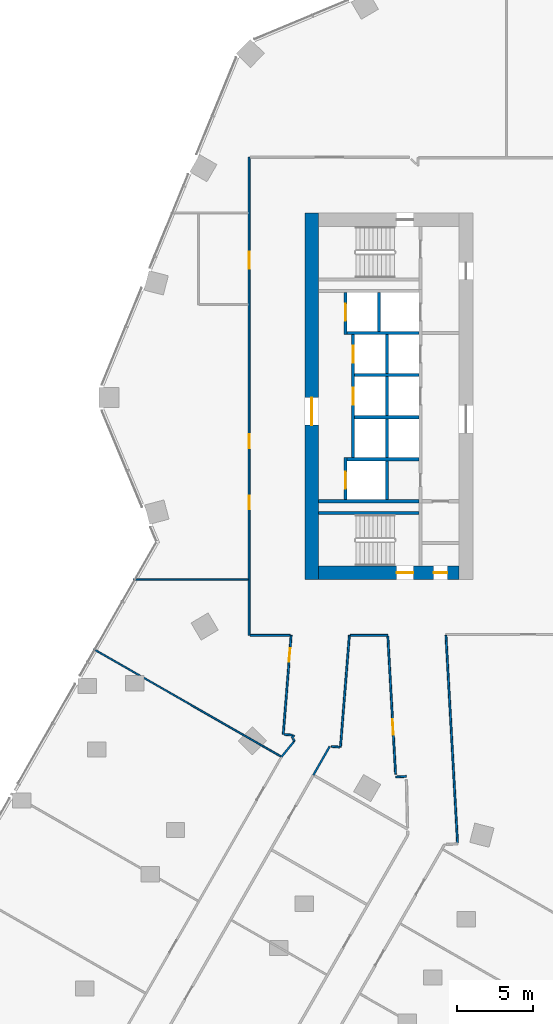
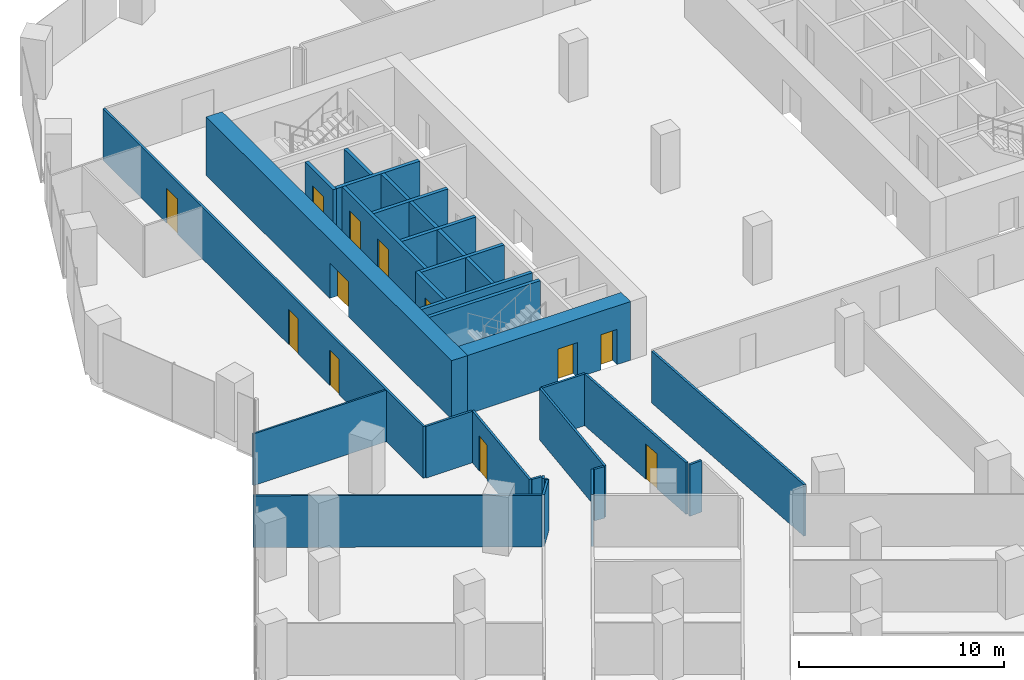
# One storey, part 27 of 35: 32 walls, 12 doors, 12 openings.
"""IFC4 building model written with IfcOpenShell, lengths in metres."""

from ifc_helpers import new_model, si_unit, direction, frame, frame_2d, origin, place, context, subcontext, project, spatial, rectangle, extrude, material, layer, layer_set, type_object, element, fill, save


model = new_model("IFC4")

# Units and contexts
model_context = context("Model", 3, precision=1e-05, world=origin(), true_north=direction((0.0, 1.0)))
body_context = subcontext(model_context, "Body", "Model", "MODEL_VIEW")
ifc_project = project(units=[si_unit("LENGTHUNIT", "METRE"), si_unit("AREAUNIT", "SQUARE_METRE"), si_unit("VOLUMEUNIT", "CUBIC_METRE"), si_unit("PLANEANGLEUNIT", "RADIAN"), si_unit("MASSUNIT", "GRAM", prefix="KILO")], contexts=[model_context])

# Site, building, storey
site_placement = place(None, origin())
site = spatial("IfcSite", under=ifc_project, at=site_placement, CompositionType="ELEMENT")
building_placement = place(site_placement, origin())
building = spatial("IfcBuilding", under=site, at=building_placement, Name="Orlundy Tower", CompositionType="ELEMENT")
storey_placement = place(building_placement, frame((0.0, 0.0, 116.199951171875)))
storey = spatial("IfcBuildingStorey", under=building, at=storey_placement, Name="L29", CompositionType="ELEMENT", Elevation=116.199951171875)

# Wall, openings, doors
ifc_material_1 = material(Name="Concrete C80/95", Category="concrete")
ifc_layer_1 = layer(ifc_material_1, 0.89990234375)
ifc_layer_set_1 = layer_set([ifc_layer_1], Name="CORE WALL 900 C80/95")
wall_type_1 = type_object("IfcWallType", Name="CORE WALL 900 C80/95", PredefinedType="SHEAR", material=ifc_layer_set_1)
wall_1_placement = place(storey_placement, frame((-18.10009765625, -11.550048828125, 0.0), z_axis=(0.0, 0.0, 1.0), x_axis=(1.0, 0.0, 0.0)))
wall_1 = element("IfcWall", 1, at=wall_1_placement, inside=storey, type_object=wall_type_1, Name="Core wall W-S L29", PredefinedType="SHEAR", context=body_context, shape_type="SweptSolid", body=[
    extrude(rectangle(XDim=9.2001953125, YDim=0.89990234375, at=frame_2d((4.60009765625, 0.0))), origin(), (0.0, 0.0, 1.0), 3.5),
])
opening_1_placement = place(wall_1_placement, frame((5.10009765625, 0.0, 0.0)))
opening_1 = element("IfcOpeningElement", 2, at=opening_1_placement, cuts=wall_1, Name="Opening 22013", PredefinedType="OPENING", context=body_context, shape_type="SweptSolid", body=[
    extrude(rectangle(XDim=1.10009765625, YDim=2.10009765625, at=frame_2d((0.550048828125, 1.050048828125))), frame((0.0, 0.4599609375, 0.0), z_axis=(0.0, -1.0, 0.0), x_axis=(1.0, 0.0, 0.0)), (0.0, 0.0, 1.0), 0.919921875),
])
opening_2_placement = place(wall_1_placement, frame((7.530029296875, 0.0, 0.0)))
opening_2 = element("IfcOpeningElement", 3, at=opening_2_placement, cuts=wall_1, Name="Opening 22015", PredefinedType="OPENING", context=body_context, shape_type="SweptSolid", body=[
    extrude(rectangle(XDim=0.89990234375, YDim=2.10009765625, at=frame_2d((0.449951171875, 1.050048828125))), frame((0.0, 0.4599609375, 0.0), z_axis=(0.0, -1.0, 0.0), x_axis=(1.0, 0.0, 0.0)), (0.0, 0.0, 1.0), 0.919921875),
])
ifc_material_2 = material(Name="Timber door set", Category="wood")
door_type_1 = type_object("IfcDoorType", Name="Room Door 900x2100", OperationType="SINGLE_SWING_LEFT", PredefinedType="DOOR", material=ifc_material_2)
door_1_placement = place(opening_2_placement, origin())
door_1 = element("IfcDoor", 4, at=door_1_placement, inside=storey, type_object=door_type_1, Name="Store door 22015", OperationType="SINGLE_SWING_RIGHT", OverallHeight=2.10009765625, OverallWidth=0.89990234375, PredefinedType="DOOR", context=body_context, shape_type="SweptSolid", body=[
    extrude(rectangle(XDim=0.89990234375, YDim=2.10009765625, at=frame_2d((0.449951171875, 1.050048828125))), frame((0.0, 0.02490234375, 0.0), z_axis=(0.0, -1.0, 0.0), x_axis=(1.0, 0.0, 0.0)), (0.0, 0.0, 1.0), 0.050048828125),
])
fill(opening_2, door_1)
ifc_material_3 = material(Name="Steel door set", Category="steel")
door_type_2 = type_object("IfcDoorType", Name="Stair Door 1100x2100", OperationType="SINGLE_SWING_LEFT", PredefinedType="DOOR", material=ifc_material_3)
door_2_placement = place(opening_1_placement, origin())
door_2 = element("IfcDoor", 5, at=door_2_placement, inside=storey, type_object=door_type_2, Name="Stair door 22013", OperationType="SINGLE_SWING_RIGHT", OverallHeight=2.10009765625, OverallWidth=1.10009765625, PredefinedType="DOOR", context=body_context, shape_type="SweptSolid", body=[
    extrude(rectangle(XDim=1.10009765625, YDim=2.10009765625, at=frame_2d((0.550048828125, 1.050048828125))), frame((0.0, 0.02490234375, 0.0), z_axis=(0.0, -1.0, 0.0), x_axis=(1.0, 0.0, 0.0)), (0.0, 0.0, 1.0), 0.050048828125),
])
fill(opening_1, door_2)

# Wall, opening, door
wall_2_placement = place(storey_placement, frame((-18.550048828125, -12.0, 0.0), z_axis=(0.0, 0.0, 1.0), x_axis=(0.0, 1.0, 0.0)))
wall_2 = element("IfcWall", 6, at=wall_2_placement, inside=storey, type_object=wall_type_1, Name="Core wall W-W L29", PredefinedType="SHEAR", context=body_context, shape_type="SweptSolid", body=[
    extrude(rectangle(XDim=24.0, YDim=0.89990234375, at=frame_2d((12.0, 0.0))), origin(), (0.0, 0.0, 1.0), 3.5),
])
opening_3_placement = place(wall_2_placement, frame((10.10009765625, 0.0, 0.0)))
opening_3 = element("IfcOpeningElement", 7, at=opening_3_placement, cuts=wall_2, Name="Opening 22010", PredefinedType="OPENING", context=body_context, shape_type="SweptSolid", body=[
    extrude(rectangle(XDim=1.800048828125, YDim=2.10009765625, at=frame_2d((0.89990234375, 1.050048828125))), frame((0.0, 0.4599609375, 0.0), z_axis=(0.0, -1.0, 0.0), x_axis=(1.0, 0.0, 0.0)), (0.0, 0.0, 1.0), 0.919921875),
])
ifc_material_4 = material(Name="Timber door set", Category="wood")
door_type_3 = type_object("IfcDoorType", Name="Lobby Door 1800x2100", OperationType="DOUBLE_DOOR_DOUBLE_SWING", PredefinedType="DOOR", material=ifc_material_4)
door_3_placement = place(opening_3_placement, origin())
door_3 = element("IfcDoor", 8, at=door_3_placement, inside=storey, type_object=door_type_3, Name="Lift lobby door 22010", OperationType="SINGLE_SWING_LEFT", OverallHeight=2.10009765625, OverallWidth=1.800048828125, PredefinedType="DOOR", context=body_context, shape_type="SweptSolid", body=[
    extrude(rectangle(XDim=1.800048828125, YDim=2.10009765625, at=frame_2d((0.89990234375, 1.050048828125))), frame((0.0, 0.02490234375, 0.0), z_axis=(0.0, -1.0, 0.0), x_axis=(1.0, 0.0, 0.0)), (0.0, 0.0, 1.0), 0.050048828125),
])
fill(opening_3, door_3)

# Walls
ifc_material_5 = material(Name="Gypsum board partition")
ifc_layer_2 = layer(ifc_material_5, 0.10009765625)
ifc_layer_set_2 = layer_set([ifc_layer_2], Name="Floor partition 100")
wall_type_2 = type_object("IfcWallType", Name="Floor partition 100", PredefinedType="PARTITIONING", material=ifc_layer_set_2)
wall_3_placement = place(storey_placement, frame((-32.8359375, -16.552001953125, 0.0), z_axis=(0.0, 0.0, 1.0), x_axis=(0.867495211783, -0.497445532229, 0.0)))
element("IfcWall", 9, at=wall_3_placement, inside=storey, type_object=wall_type_2, Name="wall-int-L29-021", PredefinedType="PARTITIONING", context=body_context, shape_type="SweptSolid", body=[
    extrude(rectangle(XDim=14.119873046875, YDim=0.10009765625, at=frame_2d((7.06005859375, 0.0))), origin(), (0.0, 0.0, 1.0), 3.080078125),
])
wall_4_placement = place(storey_placement, frame((-30.22509765625, -12.0, 0.0), z_axis=(0.0, 0.0, 1.0), x_axis=(1.0, 0.0, 0.0)))
element("IfcWall", 10, at=wall_4_placement, inside=storey, type_object=wall_type_2, Name="wall-int-L29-040", PredefinedType="PARTITIONING", context=body_context, shape_type="SweptSolid", body=[
    extrude(rectangle(XDim=7.51318359375, YDim=0.10009765625, at=frame_2d((3.756591796875, 0.0))), origin(), (0.0, 0.0, 1.0), 3.080078125),
])

# Wall, opening, door
ifc_material_6 = material(Name="Gypsum board partition, double layer")
ifc_layer_3 = layer(ifc_material_6, 0.125)
ifc_layer_set_3 = layer_set([ifc_layer_3], Name="Floor partition 125")
wall_type_3 = type_object("IfcWallType", Name="Floor partition 125", PredefinedType="PARTITIONING", material=ifc_layer_set_3)
wall_5_placement = place(storey_placement, frame((-13.06591796875, -24.7451171875, 0.0), z_axis=(0.0, 0.0, 1.0), x_axis=(-0.056052939146, 0.998427798097, 0.0)))
wall_5 = element("IfcWall", 11, at=wall_5_placement, inside=storey, type_object=wall_type_3, Name="wall-int-L29-003", PredefinedType="PARTITIONING", context=body_context, shape_type="SweptSolid", body=[
    extrude(rectangle(XDim=9.04638671875, YDim=0.125, at=frame_2d((4.523193359375, 0.0))), origin(), (0.0, 0.0, 1.0), 3.080078125),
])
opening_4_placement = place(wall_5_placement, frame((2.599853515625, 0.0, 0.0)))
opening_4 = element("IfcOpeningElement", 12, at=opening_4_placement, cuts=wall_5, Name="Opening 22122", PredefinedType="OPENING", context=body_context, shape_type="SweptSolid", body=[
    extrude(rectangle(XDim=1.0, YDim=2.10009765625, at=frame_2d((0.5, 1.050048828125))), frame((0.0, 0.072509765625, 0.0), z_axis=(0.0, -1.0, 0.0), x_axis=(1.0, 0.0, 0.0)), (0.0, 0.0, 1.0), 0.14501953125),
])
ifc_material_7 = material(Name="Timber door leaf", Category="wood")
door_type_4 = type_object("IfcDoorType", Name="Floor door wide 1000 FD30S", OperationType="NOTDEFINED", PredefinedType="DOOR", material=ifc_material_7)
door_4_placement = place(opening_4_placement, origin())
door_4 = element("IfcDoor", 13, at=door_4_placement, inside=storey, type_object=door_type_4, Name="Door 22122", OperationType="SINGLE_SWING_LEFT", OverallHeight=2.10009765625, OverallWidth=1.0, PredefinedType="DOOR", context=body_context, shape_type="SweptSolid", body=[
    extrude(rectangle(XDim=1.0, YDim=2.10009765625, at=frame_2d((0.5, 1.050048828125))), frame((0.0, 0.02490234375, 0.0), z_axis=(0.0, -1.0, 0.0), x_axis=(1.0, 0.0, 0.0)), (0.0, 0.0, 1.0), 0.050048828125),
])
fill(opening_4, door_4)

# Walls
wall_6_placement = place(storey_placement, frame((-9.76904296875, -15.662109375, 0.0), z_axis=(0.0, 0.0, 1.0), x_axis=(0.055763443597, -0.998444008625, 0.0)))
element("IfcWall", 14, at=wall_6_placement, inside=storey, type_object=wall_type_3, Name="wall-int-L29-004", PredefinedType="PARTITIONING", context=body_context, shape_type="SweptSolid", body=[
    extrude(rectangle(XDim=13.59423828125, YDim=0.125, at=frame_2d((6.797119140625, 0.0))), origin(), (0.0, 0.0, 1.0), 3.080078125),
])
wall_7_placement = place(storey_placement, frame((-19.781982421875, -22.45703125, 0.0), z_axis=(0.0, 0.0, 1.0), x_axis=(0.710465901212, -0.703731627267, 0.0)))
element("IfcWall", 15, at=wall_7_placement, inside=storey, type_object=wall_type_3, Name="wall-int-L29-009", PredefinedType="PARTITIONING", context=body_context, shape_type="SweptSolid", body=[
    extrude(rectangle(XDim=0.14501953125, YDim=0.125, at=frame_2d((0.072509765625, 0.0))), origin(), (0.0, 0.0, 1.0), 3.080078125),
])
wall_8_placement = place(storey_placement, frame((-17.27392578125, -22.927978515625, 0.0), z_axis=(0.0, 0.0, 1.0), x_axis=(0.996965983674, -0.077838469901, 0.0)))
element("IfcWall", 16, at=wall_8_placement, inside=storey, type_object=wall_type_3, Name="wall-int-L29-034", PredefinedType="PARTITIONING", context=body_context, shape_type="SweptSolid", body=[
    extrude(rectangle(XDim=0.53955078125, YDim=0.125, at=frame_2d((0.269775390625, 0.0))), origin(), (0.0, 0.0, 1.0), 3.080078125),
])
wall_9_placement = place(storey_placement, frame((-20.35791015625, -22.14306640625, 0.0), z_axis=(0.0, 0.0, 1.0), x_axis=(0.996954986242, -0.07797919856, 0.0)))
element("IfcWall", 17, at=wall_9_placement, inside=storey, type_object=wall_type_3, Name="wall-int-L29-035", PredefinedType="PARTITIONING", context=body_context, shape_type="SweptSolid", body=[
    extrude(rectangle(XDim=0.53857421875, YDim=0.125, at=frame_2d((0.269287109375, 0.0))), origin(), (0.0, 0.0, 1.0), 3.080078125),
])
wall_10_placement = place(storey_placement, frame((-22.5869140625, -15.65087890625, 0.0), z_axis=(0.0, 0.0, 1.0), x_axis=(1.0, 0.0, 0.0)))
element("IfcWall", 18, at=wall_10_placement, inside=storey, type_object=wall_type_3, Name="wall-int-L29-036", PredefinedType="PARTITIONING", context=body_context, shape_type="SweptSolid", body=[
    extrude(rectangle(XDim=2.621826171875, YDim=0.125, at=frame_2d((1.31103515625, 0.0))), origin(), (0.0, 0.0, 1.0), 3.080078125),
])
wall_11_placement = place(storey_placement, frame((-16.027099609375, -15.65087890625, 0.0), z_axis=(0.0, 0.0, 1.0), x_axis=(1.0, 0.0, 0.0)))
element("IfcWall", 19, at=wall_11_placement, inside=storey, type_object=wall_type_3, Name="wall-int-L29-037", PredefinedType="PARTITIONING", context=body_context, shape_type="SweptSolid", body=[
    extrude(rectangle(XDim=2.4501953125, YDim=0.125, at=frame_2d((1.22509765625, 0.0))), origin(), (0.0, 0.0, 1.0), 3.080078125),
])
wall_12_placement = place(storey_placement, frame((-13.054931640625, -24.927978515625, 0.0), z_axis=(0.0, 0.0, 1.0), x_axis=(0.998414554179, 0.056288346959, 0.0)))
element("IfcWall", 20, at=wall_12_placement, inside=storey, type_object=wall_type_3, Name="wall-int-L29-048", PredefinedType="PARTITIONING", context=body_context, shape_type="SweptSolid", body=[
    extrude(rectangle(XDim=0.694091796875, YDim=0.125, at=frame_2d((0.34716796875, 0.0))), origin(), (0.0, 0.0, 1.0), 3.080078125),
])
wall_13_placement = place(storey_placement, frame((-19.678955078125, -22.55908203125, 0.0), z_axis=(0.0, 0.0, 1.0), x_axis=(-0.631761389126, -0.77516291656, 0.0)))
element("IfcWall", 21, at=wall_13_placement, inside=storey, type_object=wall_type_3, Name="wall-int-L29-053", PredefinedType="PARTITIONING", context=body_context, shape_type="SweptSolid", body=[
    extrude(rectangle(XDim=1.351806640625, YDim=0.125, at=frame_2d((0.67578125, 0.0))), origin(), (0.0, 0.0, 1.0), 3.080078125),
])
wall_14_placement = place(storey_placement, frame((-18.448974609375, -24.802001953125, 0.0), z_axis=(0.0, 0.0, 1.0), x_axis=(0.496635986683, 0.867958925717, 0.0)))
element("IfcWall", 22, at=wall_14_placement, inside=storey, type_object=wall_type_3, Name="wall-int-L29-060", PredefinedType="PARTITIONING", context=body_context, shape_type="SweptSolid", body=[
    extrude(rectangle(XDim=2.16845703125, YDim=0.125, at=frame_2d((1.084228515625, 0.0))), origin(), (0.0, 0.0, 1.0), 3.080078125),
])
wall_15_placement = place(storey_placement, frame((-19.840087890625, -22.39794921875, 0.0), z_axis=(0.0, 0.0, 1.0), x_axis=(0.496584525781, 0.867988369021, 0.0)))
element("IfcWall", 23, at=wall_15_placement, inside=storey, type_object=wall_type_3, Name="wall-int-L29-062", PredefinedType="PARTITIONING", context=body_context, shape_type="SweptSolid", body=[
    extrude(rectangle(XDim=0.236083984375, YDim=0.125, at=frame_2d((0.1181640625, 0.0))), origin(), (0.0, 0.0, 1.0), 3.080078125),
])
wall_16_placement = place(storey_placement, frame((-16.674072265625, -22.97509765625, 0.0), z_axis=(0.0, 0.0, 1.0), x_axis=(0.079470557758, 0.996837213616, 0.0)))
element("IfcWall", 24, at=wall_16_placement, inside=storey, type_object=wall_type_3, Name="wall-int-L29-074", PredefinedType="PARTITIONING", context=body_context, shape_type="SweptSolid", body=[
    extrude(rectangle(XDim=7.348388671875, YDim=0.125, at=frame_2d((3.67431640625, 0.0))), origin(), (0.0, 0.0, 1.0), 3.080078125),
])

# Wall, opening, door
wall_17_placement = place(storey_placement, frame((-20.419921875, -22.136962890625, 0.0), z_axis=(0.0, 0.0, 1.0), x_axis=(0.079448389508, 0.996838980681, 0.0)))
wall_17 = element("IfcWall", 25, at=wall_17_placement, inside=storey, type_object=wall_type_3, Name="wall-int-L29-075", PredefinedType="PARTITIONING", context=body_context, shape_type="SweptSolid", body=[
    extrude(rectangle(XDim=6.50537109375, YDim=0.125, at=frame_2d((3.252685546875, 0.0))), origin(), (0.0, 0.0, 1.0), 3.080078125),
])
opening_5_placement = place(wall_17_placement, frame((4.765380859375, 0.0, 0.0)))
opening_5 = element("IfcOpeningElement", 26, at=opening_5_placement, cuts=wall_17, Name="Opening 22121", PredefinedType="OPENING", context=body_context, shape_type="SweptSolid", body=[
    extrude(rectangle(XDim=0.89990234375, YDim=2.10009765625, at=frame_2d((0.449951171875, 1.050048828125))), frame((0.0, 0.072509765625, 0.0), z_axis=(0.0, -1.0, 0.0), x_axis=(1.0, 0.0, 0.0)), (0.0, 0.0, 1.0), 0.14501953125),
])
ifc_material_8 = material(Name="Timber door leaf", Category="wood")
door_type_5 = type_object("IfcDoorType", Name="Floor door single 900 FD30S", OperationType="NOTDEFINED", PredefinedType="DOOR", material=ifc_material_8)
door_5_placement = place(opening_5_placement, origin())
door_5 = element("IfcDoor", 27, at=door_5_placement, inside=storey, type_object=door_type_5, Name="Door 22121", OperationType="SINGLE_SWING_RIGHT", OverallHeight=2.10009765625, OverallWidth=0.89990234375, PredefinedType="DOOR", context=body_context, shape_type="SweptSolid", body=[
    extrude(rectangle(XDim=0.89990234375, YDim=2.10009765625, at=frame_2d((0.449951171875, 1.050048828125))), frame((0.0, 0.02490234375, 0.0), z_axis=(0.0, -1.0, 0.0), x_axis=(1.0, 0.0, 0.0)), (0.0, 0.0, 1.0), 0.050048828125),
])
fill(opening_5, door_5)

# Wall, openings, doors
wall_18_placement = place(storey_placement, frame((-22.64990234375, -15.65087890625, 0.0), z_axis=(0.0, 0.0, 1.0), x_axis=(0.0, 1.0, 0.0)))
wall_18 = element("IfcWall", 28, at=wall_18_placement, inside=storey, type_object=wall_type_3, Name="wall-int-L29-086", PredefinedType="PARTITIONING", context=body_context, shape_type="SweptSolid", body=[
    extrude(rectangle(XDim=31.3017578125, YDim=0.125, at=frame_2d((15.65087890625, 0.0))), origin(), (0.0, 0.0, 1.0), 3.080078125),
])
opening_6_placement = place(wall_18_placement, frame((8.2509765625, 0.0, 0.0)))
opening_6 = element("IfcOpeningElement", 29, at=opening_6_placement, cuts=wall_18, Name="Opening 22119", PredefinedType="OPENING", context=body_context, shape_type="SweptSolid", body=[
    extrude(rectangle(XDim=0.89990234375, YDim=2.10009765625, at=frame_2d((0.449951171875, 1.050048828125))), frame((0.0, 0.072509765625, 0.0), z_axis=(0.0, -1.0, 0.0), x_axis=(1.0, 0.0, 0.0)), (0.0, 0.0, 1.0), 0.14501953125),
])
opening_7_placement = place(wall_18_placement, frame((12.2509765625, 0.0, 0.0)))
opening_7 = element("IfcOpeningElement", 30, at=opening_7_placement, cuts=wall_18, Name="Opening 22120", PredefinedType="OPENING", context=body_context, shape_type="SweptSolid", body=[
    extrude(rectangle(XDim=0.89990234375, YDim=2.10009765625, at=frame_2d((0.449951171875, 1.050048828125))), frame((0.0, 0.072509765625, 0.0), z_axis=(0.0, -1.0, 0.0), x_axis=(1.0, 0.0, 0.0)), (0.0, 0.0, 1.0), 0.14501953125),
])
opening_8_placement = place(wall_18_placement, frame((24.001953125, 0.0, 0.0)))
opening_8 = element("IfcOpeningElement", 31, at=opening_8_placement, cuts=wall_18, Name="Opening 22133", PredefinedType="OPENING", context=body_context, shape_type="SweptSolid", body=[
    extrude(rectangle(XDim=1.10009765625, YDim=2.10009765625, at=frame_2d((0.550048828125, 1.050048828125))), frame((0.0, 0.072509765625, 0.0), z_axis=(0.0, -1.0, 0.0), x_axis=(1.0, 0.0, 0.0)), (0.0, 0.0, 1.0), 0.14501953125),
])
door_6_placement = place(opening_6_placement, origin())
door_6 = element("IfcDoor", 32, at=door_6_placement, inside=storey, type_object=door_type_5, Name="Door 22119", OperationType="SINGLE_SWING_LEFT", OverallHeight=2.10009765625, OverallWidth=0.89990234375, PredefinedType="DOOR", context=body_context, shape_type="SweptSolid", body=[
    extrude(rectangle(XDim=0.89990234375, YDim=2.10009765625, at=frame_2d((0.449951171875, 1.050048828125))), frame((0.0, 0.02490234375, 0.0), z_axis=(0.0, -1.0, 0.0), x_axis=(1.0, 0.0, 0.0)), (0.0, 0.0, 1.0), 0.050048828125),
])
fill(opening_6, door_6)
door_7_placement = place(opening_7_placement, origin())
door_7 = element("IfcDoor", 33, at=door_7_placement, inside=storey, type_object=door_type_5, Name="Door 22120", OperationType="SINGLE_SWING_LEFT", OverallHeight=2.10009765625, OverallWidth=0.89990234375, PredefinedType="DOOR", context=body_context, shape_type="SweptSolid", body=[
    extrude(rectangle(XDim=0.89990234375, YDim=2.10009765625, at=frame_2d((0.449951171875, 1.050048828125))), frame((0.0, 0.02490234375, 0.0), z_axis=(0.0, -1.0, 0.0), x_axis=(1.0, 0.0, 0.0)), (0.0, 0.0, 1.0), 0.050048828125),
])
fill(opening_7, door_7)
ifc_material_9 = material(Name="Timber door leaf", Category="wood")
door_type_6 = type_object("IfcDoorType", Name="Floor door xwide 1100 FD30S", OperationType="NOTDEFINED", PredefinedType="DOOR", material=ifc_material_9)
door_8_placement = place(opening_8_placement, origin())
door_8 = element("IfcDoor", 34, at=door_8_placement, inside=storey, type_object=door_type_6, Name="Door 22133", OperationType="SINGLE_SWING_RIGHT", OverallHeight=2.10009765625, OverallWidth=1.10009765625, PredefinedType="DOOR", context=body_context, shape_type="SweptSolid", body=[
    extrude(rectangle(XDim=1.10009765625, YDim=2.10009765625, at=frame_2d((0.550048828125, 1.050048828125))), frame((0.0, 0.02490234375, 0.0), z_axis=(0.0, -1.0, 0.0), x_axis=(1.0, 0.0, 0.0)), (0.0, 0.0, 1.0), 0.050048828125),
])
fill(opening_8, door_8)

# Walls
ifc_material_10 = material(Name="Concrete C40/50", Category="concrete")
ifc_layer_4 = layer(ifc_material_10, 0.199951171875)
ifc_layer_set_4 = layer_set([ifc_layer_4], Name="Load-bearing Shaft Wall 200")
wall_type_4 = type_object("IfcWallType", Name="Load-bearing Shaft Wall 200", PredefinedType="SOLIDWALL", material=ifc_layer_set_4)
wall_19_placement = place(storey_placement, frame((-11.5400390625, -7.64990234375, 0.0), z_axis=(0.0, 0.0, 1.0), x_axis=(-1.0, 0.0, 0.0)))
element("IfcWall", 35, at=wall_19_placement, inside=storey, type_object=wall_type_4, Name="Shaft wall W22-stair-side-s", PredefinedType="SOLIDWALL", context=body_context, shape_type="SweptSolid", body=[
    extrude(rectangle(XDim=6.56005859375, YDim=0.199951171875, at=frame_2d((3.280029296875, 0.0))), origin(), (0.0, 0.0, 1.0), 3.090087890625),
])
ifc_material_11 = material(Name="Fire-rated blockwork shaft wall", Category="masonry")
ifc_layer_5 = layer(ifc_material_11, 0.199951171875)
ifc_layer_set_5 = layer_set([ifc_layer_5], Name="Shaft Wall 200")
wall_type_5 = type_object("IfcWallType", Name="Shaft Wall 200", PredefinedType="SOLIDWALL", material=ifc_layer_set_5)
wall_20_placement = place(storey_placement, frame((-11.5400390625, -6.875, 0.0), z_axis=(0.0, 0.0, 1.0), x_axis=(-1.0, 0.0, 0.0)))
element("IfcWall", 36, at=wall_20_placement, inside=storey, type_object=wall_type_5, Name="Shaft wall W22-zone-s", PredefinedType="SOLIDWALL", context=body_context, shape_type="SweptSolid", body=[
    extrude(rectangle(XDim=6.56005859375, YDim=0.199951171875, at=frame_2d((3.280029296875, 0.0))), origin(), (0.0, 0.0, 1.0), 3.090087890625),
])
wall_21_placement = place(storey_placement, frame((-11.5400390625, -4.125, 0.0), z_axis=(0.0, 0.0, 1.0), x_axis=(-1.0, 0.0, 0.0)))
element("IfcWall", 37, at=wall_21_placement, inside=storey, type_object=wall_type_5, Name="Shaft wall W22-cross-4.125", PredefinedType="SOLIDWALL", context=body_context, shape_type="SweptSolid", body=[
    extrude(rectangle(XDim=4.699951171875, YDim=0.199951171875, at=frame_2d((2.35009765625, 0.0))), origin(), (0.0, 0.0, 1.0), 3.090087890625),
])
for number, where, z_axis, x_axis, name in (
    (38, (-11.5400390625, -1.375, 0.0), (0.0, 0.0, 1.0), (-1.0, 0.0, 0.0), "Shaft wall W22-cross-1.375"),
    (39, (-11.5400390625, 1.375, 0.0), (0.0, 0.0, 1.0), (-1.0, 0.0, 0.0), "Shaft wall W22-cross+1.375"),
):
    element("IfcWall", number, at=place(storey_placement, frame(where, z_axis=z_axis, x_axis=x_axis)), inside=storey, type_object=wall_type_5, Name=name, PredefinedType="SOLIDWALL", context=body_context, shape_type="SweptSolid", body=[
        extrude(rectangle(XDim=4.199951171875, YDim=0.199951171875, at=frame_2d((2.10009765625, 0.0))), origin(), (0.0, 0.0, 1.0), 3.090087890625),
    ])
wall_22_placement = place(storey_placement, frame((-11.5400390625, 4.125, 0.0), z_axis=(0.0, 0.0, 1.0), x_axis=(-1.0, 0.0, 0.0)))
element("IfcWall", 40, at=wall_22_placement, inside=storey, type_object=wall_type_5, Name="Shaft wall W22-cross+4.125", PredefinedType="SOLIDWALL", context=body_context, shape_type="SweptSolid", body=[
    extrude(rectangle(XDim=4.699951171875, YDim=0.199951171875, at=frame_2d((2.35009765625, 0.0))), origin(), (0.0, 0.0, 1.0), 3.090087890625),
])
for number, where, z_axis, x_axis, name in (
    (41, (-13.639892578125, -6.77490234375, 0.0), (0.0, 0.0, 1.0), (0.0, 1.0, 0.0), "Shaft wall W22-mid-a"),
    (42, (-13.639892578125, -4.02490234375, 0.0), (0.0, 0.0, 1.0), (0.0, 1.0, 0.0), "Shaft wall W22-mid-a.1"),
    (43, (-13.639892578125, -1.27490234375, 0.0), (0.0, 0.0, 1.0), (0.0, 1.0, 0.0), "Shaft wall W22-mid-a.2"),
    (44, (-13.639892578125, 1.47509765625, 0.0), (0.0, 0.0, 1.0), (0.0, 1.0, 0.0), "Shaft wall W22-mid-a.3"),
    (45, (-14.139892578125, 4.22509765625, 0.0), (0.0, 0.0, 1.0), (0.0, 1.0, 0.0), "Shaft wall W22-mid-b"),
):
    element("IfcWall", number, at=place(storey_placement, frame(where, z_axis=z_axis, x_axis=x_axis)), inside=storey, type_object=wall_type_5, Name=name, PredefinedType="SOLIDWALL", context=body_context, shape_type="SweptSolid", body=[
        extrude(rectangle(XDim=2.5498046875, YDim=0.199951171875, at=frame_2d((1.27490234375, 0.0))), origin(), (0.0, 0.0, 1.0), 3.090087890625),
    ])

# Wall, opening, door
wall_23_placement = place(storey_placement, frame((-16.340087890625, -6.77490234375, 0.0), z_axis=(0.0, 0.0, 1.0), x_axis=(0.0, 1.0, 0.0)))
wall_23 = element("IfcWall", 46, at=wall_23_placement, inside=storey, type_object=wall_type_5, Name="Shaft wall W22-front-o-a", PredefinedType="SOLIDWALL", context=body_context, shape_type="SweptSolid", body=[
    extrude(rectangle(XDim=2.75, YDim=0.199951171875, at=frame_2d((1.375, 0.0))), origin(), (0.0, 0.0, 1.0), 3.090087890625),
])
opening_9_placement = place(wall_23_placement, frame((0.72509765625, 0.0, 0.0)))
opening_9 = element("IfcOpeningElement", 47, at=opening_9_placement, cuts=wall_23, Name="Opening 22001", PredefinedType="OPENING", context=body_context, shape_type="SweptSolid", body=[
    extrude(rectangle(XDim=1.10009765625, YDim=2.10009765625, at=frame_2d((0.550048828125, 1.050048828125))), frame((0.0, 0.110107421875, 0.0), z_axis=(0.0, -1.0, 0.0), x_axis=(1.0, 0.0, 0.0)), (0.0, 0.0, 1.0), 0.22021484375),
])
ifc_material_12 = material(Name="Steel door set", Category="steel")
door_type_7 = type_object("IfcDoorType", Name="Landing Door 1100x2100", OperationType="DOUBLE_DOOR_SLIDING", PredefinedType="DOOR", material=ifc_material_12)
door_9_placement = place(opening_9_placement, origin())
door_9 = element("IfcDoor", 48, at=door_9_placement, inside=storey, type_object=door_type_7, Name="Lift landing door LV-01 22001", OperationType="DOUBLE_DOOR_SLIDING", OverallHeight=2.10009765625, OverallWidth=1.10009765625, PredefinedType="DOOR", context=body_context, shape_type="SweptSolid", body=[
    extrude(rectangle(XDim=1.10009765625, YDim=2.10009765625, at=frame_2d((0.550048828125, 1.050048828125))), frame((0.0, 0.02490234375, 0.0), z_axis=(0.0, -1.0, 0.0), x_axis=(1.0, 0.0, 0.0)), (0.0, 0.0, 1.0), 0.050048828125),
])
fill(opening_9, door_9)

# Wall, openings, doors
wall_24_placement = place(storey_placement, frame((-15.840087890625, -4.02490234375, 0.0), z_axis=(0.0, 0.0, 1.0), x_axis=(0.0, 1.0, 0.0)))
wall_24 = element("IfcWall", 49, at=wall_24_placement, inside=storey, type_object=wall_type_5, Name="Shaft wall W22-front-o-b", PredefinedType="SOLIDWALL", context=body_context, shape_type="SweptSolid", body=[
    extrude(rectangle(XDim=8.0498046875, YDim=0.199951171875, at=frame_2d((4.02490234375, 0.0))), origin(), (0.0, 0.0, 1.0), 3.090087890625),
])
opening_10_placement = place(wall_24_placement, frame((3.47509765625, 0.0, 0.0)))
opening_10 = element("IfcOpeningElement", 50, at=opening_10_placement, cuts=wall_24, Name="Opening 22003", PredefinedType="OPENING", context=body_context, shape_type="SweptSolid", body=[
    extrude(rectangle(XDim=1.10009765625, YDim=2.10009765625, at=frame_2d((0.550048828125, 1.050048828125))), frame((0.0, 0.110107421875, 0.0), z_axis=(0.0, -1.0, 0.0), x_axis=(1.0, 0.0, 0.0)), (0.0, 0.0, 1.0), 0.22021484375),
])
opening_11_placement = place(wall_24_placement, frame((6.22509765625, 0.0, 0.0)))
opening_11 = element("IfcOpeningElement", 51, at=opening_11_placement, cuts=wall_24, Name="Opening 22005", PredefinedType="OPENING", context=body_context, shape_type="SweptSolid", body=[
    extrude(rectangle(XDim=1.10009765625, YDim=2.10009765625, at=frame_2d((0.550048828125, 1.050048828125))), frame((0.0, 0.110107421875, 0.0), z_axis=(0.0, -1.0, 0.0), x_axis=(1.0, 0.0, 0.0)), (0.0, 0.0, 1.0), 0.22021484375),
])
door_10_placement = place(opening_10_placement, origin())
door_10 = element("IfcDoor", 52, at=door_10_placement, inside=storey, type_object=door_type_7, Name="Lift landing door LP-01 22003", OperationType="DOUBLE_DOOR_SLIDING", OverallHeight=2.10009765625, OverallWidth=1.10009765625, PredefinedType="DOOR", context=body_context, shape_type="SweptSolid", body=[
    extrude(rectangle(XDim=1.10009765625, YDim=2.10009765625, at=frame_2d((0.550048828125, 1.050048828125))), frame((0.0, 0.02490234375, 0.0), z_axis=(0.0, -1.0, 0.0), x_axis=(1.0, 0.0, 0.0)), (0.0, 0.0, 1.0), 0.050048828125),
])
fill(opening_10, door_10)
door_11_placement = place(opening_11_placement, origin())
door_11 = element("IfcDoor", 53, at=door_11_placement, inside=storey, type_object=door_type_7, Name="Lift landing door LP-03 22005", OperationType="DOUBLE_DOOR_SLIDING", OverallHeight=2.10009765625, OverallWidth=1.10009765625, PredefinedType="DOOR", context=body_context, shape_type="SweptSolid", body=[
    extrude(rectangle(XDim=1.10009765625, YDim=2.10009765625, at=frame_2d((0.550048828125, 1.050048828125))), frame((0.0, 0.02490234375, 0.0), z_axis=(0.0, -1.0, 0.0), x_axis=(1.0, 0.0, 0.0)), (0.0, 0.0, 1.0), 0.050048828125),
])
fill(opening_11, door_11)

# Wall, opening, door
wall_25_placement = place(storey_placement, frame((-16.340087890625, 4.02490234375, 0.0), z_axis=(0.0, 0.0, 1.0), x_axis=(0.0, 1.0, 0.0)))
wall_25 = element("IfcWall", 54, at=wall_25_placement, inside=storey, type_object=wall_type_5, Name="Shaft wall W22-front-o-c", PredefinedType="SOLIDWALL", context=body_context, shape_type="SweptSolid", body=[
    extrude(rectangle(XDim=2.75, YDim=0.199951171875, at=frame_2d((1.375, 0.0))), origin(), (0.0, 0.0, 1.0), 3.090087890625),
])
opening_12_placement = place(wall_25_placement, frame((0.925048828125, 0.0, 0.0)))
opening_12 = element("IfcOpeningElement", 55, at=opening_12_placement, cuts=wall_25, Name="Opening 22007", PredefinedType="OPENING", context=body_context, shape_type="SweptSolid", body=[
    extrude(rectangle(XDim=1.10009765625, YDim=2.10009765625, at=frame_2d((0.550048828125, 1.050048828125))), frame((0.0, 0.110107421875, 0.0), z_axis=(0.0, -1.0, 0.0), x_axis=(1.0, 0.0, 0.0)), (0.0, 0.0, 1.0), 0.22021484375),
])
door_12_placement = place(opening_12_placement, origin())
door_12 = element("IfcDoor", 56, at=door_12_placement, inside=storey, type_object=door_type_7, Name="Lift landing door LP-04 22007", OperationType="DOUBLE_DOOR_SLIDING", OverallHeight=2.10009765625, OverallWidth=1.10009765625, PredefinedType="DOOR", context=body_context, shape_type="SweptSolid", body=[
    extrude(rectangle(XDim=1.10009765625, YDim=2.10009765625, at=frame_2d((0.550048828125, 1.050048828125))), frame((0.0, 0.02490234375, 0.0), z_axis=(0.0, -1.0, 0.0), x_axis=(1.0, 0.0, 0.0)), (0.0, 0.0, 1.0), 0.050048828125),
])
fill(opening_12, door_12)

save(model, "model.ifc")
